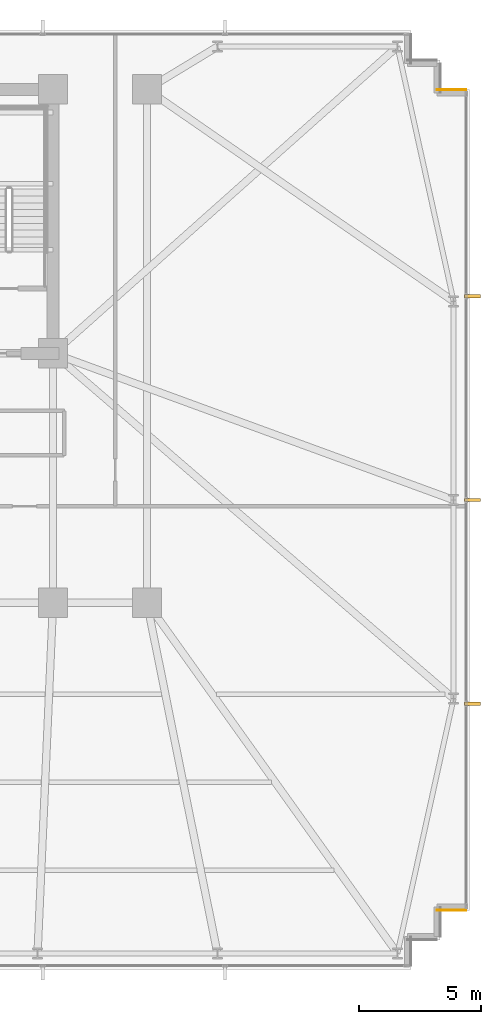
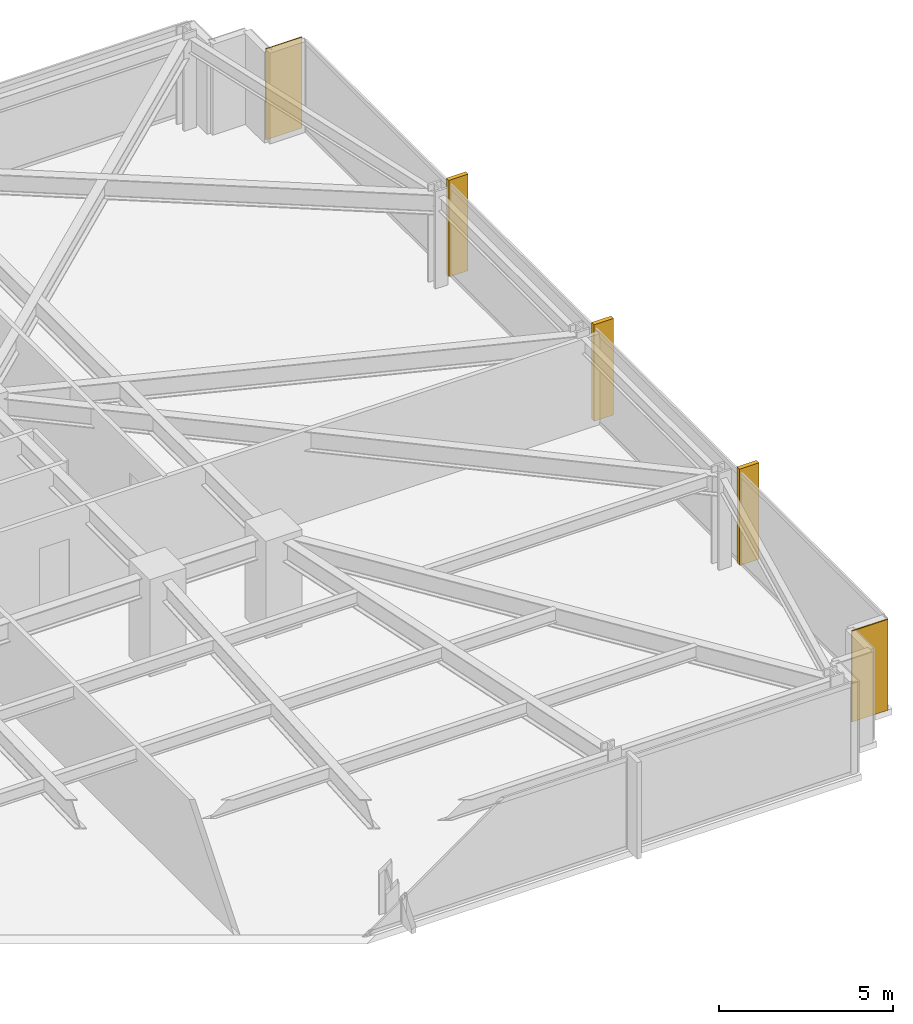
# One storey, part 32 of 32: 3 shading devices, 2 coverings.
"""IFC4 building model written with IfcOpenShell, lengths in metres."""

from ifc_helpers import new_model, si_unit, direction, frame, frame_2d, origin, origin_2d, place, context, subcontext, project, spatial, rectangle, extrude, material, layer, layer_set, type_object, element, save


model = new_model("IFC4")

# Units and contexts
model_context = context("Model", 3, precision=1e-05, world=origin(), true_north=direction((0.0, 1.0)))
body_context = subcontext(model_context, "Body", "Model", "MODEL_VIEW")
ifc_project = project(units=[si_unit("LENGTHUNIT", "METRE"), si_unit("AREAUNIT", "SQUARE_METRE"), si_unit("VOLUMEUNIT", "CUBIC_METRE"), si_unit("PLANEANGLEUNIT", "RADIAN"), si_unit("MASSUNIT", "GRAM", prefix="KILO")], contexts=[model_context])

# Site, building, storey
site_placement = place(None, origin())
site = spatial("IfcSite", under=ifc_project, at=site_placement, CompositionType="ELEMENT")
building_placement = place(site_placement, origin())
building = spatial("IfcBuilding", under=site, at=building_placement, Name="Yelkora Congress Tower", CompositionType="ELEMENT")
storey_placement = place(building_placement, frame((0.0, 0.0, 67.800048828125)))
storey = spatial("IfcBuildingStorey", under=building, at=storey_placement, Name="L17", CompositionType="ELEMENT", Elevation=67.800048828125)

# Coverings
ifc_material_1 = material(Name="Anatolian bush-hammered limestone", Category="masonry")
ifc_layer_1 = layer(ifc_material_1, 0.0400390625)
ifc_layer_set_1 = layer_set([ifc_layer_1], Name="Anatolian bush-hammered limestone")
covering_type = type_object("IfcCoveringType", Name="COV-CLAD-SPANDREL-40", PredefinedType="CLADDING", material=ifc_layer_set_1)
for number, where, z_axis, x_axis, name in (
    (1, (69.4599609375, 46.195068359375, 0.0), (0.0, 0.0, 1.0), (1.0, 0.0, 0.0), "L17 Anatolian Limestone Cladding EW-L17-SR14"),
    (2, (70.659912109375, 12.60498046875, 0.0), (0.0, 0.0, 1.0), (-1.0, 0.0, 0.0), "L17 Anatolian Limestone Cladding EW-L17-SR16"),
):
    element("IfcCovering", number, at=place(storey_placement, frame(where, z_axis=z_axis, x_axis=x_axis)), inside=storey, type_object=covering_type, Name=name, PredefinedType="CLADDING", context=body_context, shape_type="SweptSolid", body=[
        extrude(rectangle(XDim=1.199951171875, YDim=0.0400390625, at=frame_2d((0.60009765625, 0.0))), origin(), (0.0, 0.0, 1.0), 3.179931640625),
    ])

# Shading devices
ifc_material_2 = material(Name="Champagne anodised aluminium", Category="aluminium")
ifc_layer_2 = layer(ifc_material_2, 3.39990234375)
ifc_layer_set_2 = layer_set([ifc_layer_2], Name="Champagne anodised aluminium")
shading_device_type = type_object("IfcShadingDeviceType", Name="SHD-FIN-ALU-640", PredefinedType="USERDEFINED", material=ifc_layer_set_2)
for number, where, z_axis, x_axis, name in (
    (3, (70.919921875, 37.72998046875, -0.030029296875), (0.0, 0.0, 1.0), (0.0, -1.0, 0.0), "L17 Vertical Anodised Solar Fin 15-1"),
    (4, (70.919921875, 29.39990234375, -0.030029296875), (0.0, 0.0, 1.0), (0.0, -1.0, 0.0), "L17 Vertical Anodised Solar Fin 15-2"),
    (5, (70.919921875, 21.070068359375, -0.030029296875), (0.0, 0.0, 1.0), (0.0, -1.0, 0.0), "L17 Vertical Anodised Solar Fin 15-3"),
):
    element("IfcShadingDevice", number, at=place(storey_placement, frame(where, z_axis=z_axis, x_axis=x_axis)), inside=storey, type_object=shading_device_type, Name=name, ObjectType="FIN", PredefinedType="USERDEFINED", context=body_context, shape_type="SweptSolid", body=[
        extrude(rectangle(XDim=0.139892578125, YDim=0.639892578125, at=origin_2d()), origin(), (0.0, 0.0, 1.0), 3.3798828125),
    ])

save(model, "model.ifc")
